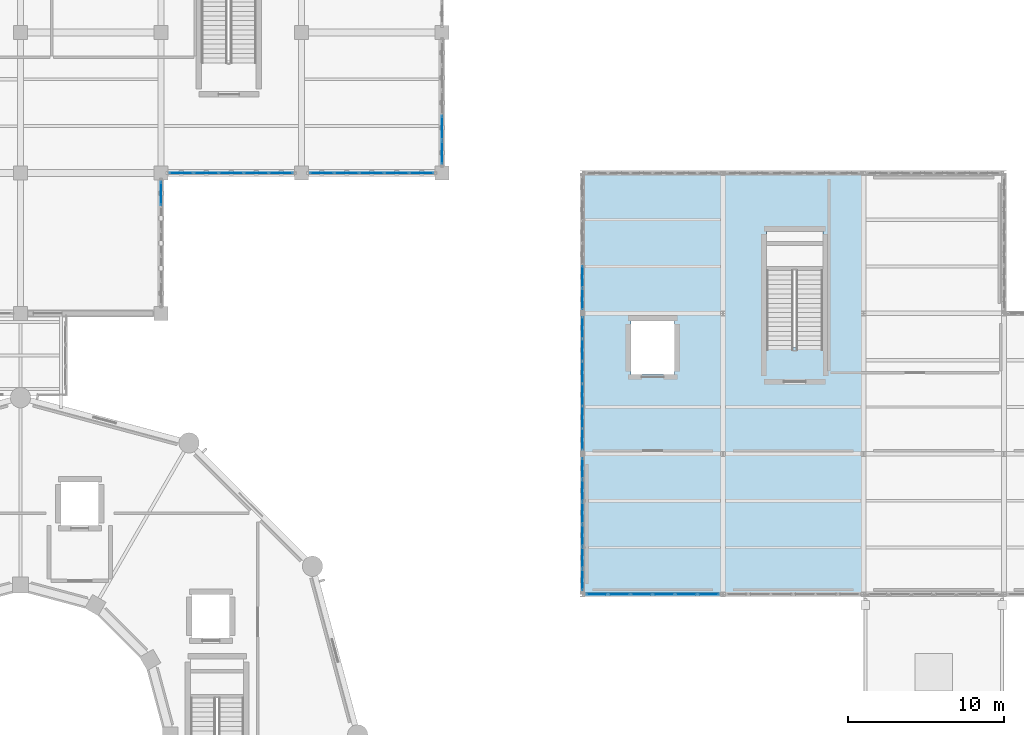
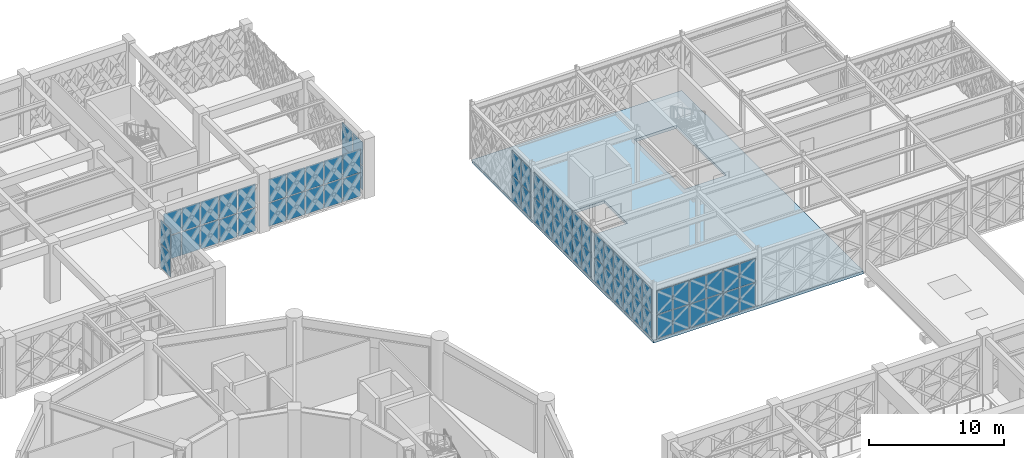
# One storey, part 125 of 155: 66 plates, 1 slab, 8 elements without a shape of their own.
"""IFC4 building model written with IfcOpenShell, lengths in metres."""

import ifcopenshell
import ifcopenshell.guid

model = None  # the IFC model being written
_history = None  # IfcOwnerHistory: only IFC2X3 demands one
_inside = {}  # id of a spatial element -> (the spatial element, [elements in it])
_under = {}  # id of a project, library or spatial element -> (it, [spatial elements below it])
_declared = {}  # id of a project -> (the project, [libraries it declares])
_typed = {}  # id of a type object -> (the type object, [elements of that type])
_made_of = {}  # id of a material, layer set ... -> (it, [elements and type objects made of it])


def new_model(schema):
    """Start an empty IFC model of exactly this schema.

    Asked for "IFC4X3", IfcOpenShell would pick the latest addendum, in which some entities
    have other attributes; the version numbers below select the first issue.
    IFC2X3 requires an IfcOwnerHistory on every rooted entity: one is made here for all.
    """
    global model, _history
    if schema == "IFC4X3":
        model = ifcopenshell.file(schema_version=(4, 3, 0, 0))
    else:
        model = ifcopenshell.file(schema=schema)
    _inside.clear()
    _under.clear()
    _declared.clear()
    _typed.clear()
    _made_of.clear()
    _history = None
    if model.schema == "IFC2X3":
        org = make("IfcOrganization", Name="unknown")
        user = make(
            "IfcPersonAndOrganization",
            ThePerson=make("IfcPerson", FamilyName="unknown"),
            TheOrganization=org,
        )
        app = make(
            "IfcApplication",
            ApplicationDeveloper=org,
            Version="unknown",
            ApplicationFullName="unknown",
            ApplicationIdentifier="unknown",
        )
        _history = make(
            "IfcOwnerHistory",
            OwningUser=user,
            OwningApplication=app,
            ChangeAction="ADDED",
            CreationDate=0,
        )
    return model


def make(cls, **values):
    """One entity of the class cls with the attributes given. An attribute that is None is left unset."""
    return model.create_entity(
        cls, **{name: value for name, value in values.items() if value is not None}
    )


def rooted(cls, **values):
    """An entity with a GlobalId (a new one), such as an element, a storey or a relation."""
    return make(cls, GlobalId=ifcopenshell.guid.new(), OwnerHistory=_history, **values)


def si_unit(unit_type, name, prefix=None):
    """IfcSIUnit, for example si_unit("LENGTHUNIT", "METRE", prefix="MILLI")."""
    return make("IfcSIUnit", UnitType=unit_type, Prefix=prefix, Name=name)


def assignment(units):
    """IfcUnitAssignment: the units of a project."""
    return None if units is None else make("IfcUnitAssignment", Units=units)


def point(xyz):
    """IfcCartesianPoint."""
    return None if xyz is None else make("IfcCartesianPoint", Coordinates=xyz)


def direction(xyz):
    """IfcDirection."""
    return None if xyz is None else make("IfcDirection", DirectionRatios=xyz)


def frame(location, z_axis=None, x_axis=None):
    """IfcAxis2Placement3D, a coordinate frame: its origin and axes. An axis left out is left unset."""
    return make(
        "IfcAxis2Placement3D",
        Location=point(location),
        Axis=direction(z_axis),
        RefDirection=direction(x_axis),
    )


def frame_2d(location, x_axis=None):
    """IfcAxis2Placement2D, a coordinate frame in the plane: its origin and x axis."""
    return make(
        "IfcAxis2Placement2D", Location=point(location), RefDirection=direction(x_axis)
    )


def origin():
    """The frame at (0, 0, 0) with its axes left unset."""
    return frame((0.0, 0.0, 0.0))


def origin_2d():
    """The frame at (0, 0) in the plane with its x axis left unset."""
    return frame_2d((0.0, 0.0))


def place(relative_to, where):
    """IfcLocalPlacement: puts the frame where relative to a parent placement (None: the world)."""
    return make(
        "IfcLocalPlacement", PlacementRelTo=relative_to, RelativePlacement=where
    )


def context(
    kind, dimensions, precision=None, world=None, true_north=None, identifier=None
):
    """IfcGeometricRepresentationContext, for example the 3D "Model" context."""
    return make(
        "IfcGeometricRepresentationContext",
        ContextIdentifier=identifier,
        ContextType=kind,
        CoordinateSpaceDimension=dimensions,
        Precision=precision,
        WorldCoordinateSystem=world,
        TrueNorth=true_north,
    )


def subcontext(parent, identifier, kind, view, scale=None):
    """IfcGeometricRepresentationSubContext, for example "Body" below "Model"."""
    return make(
        "IfcGeometricRepresentationSubContext",
        ContextIdentifier=identifier,
        ContextType=kind,
        ParentContext=parent,
        TargetScale=scale,
        TargetView=view,
    )


def project(units=None, contexts=None):
    """IfcProject with its units and contexts."""
    return rooted(
        "IfcProject",
        Name="project",
        RepresentationContexts=contexts,
        UnitsInContext=assignment(units),
    )


def spatial(cls, under=None, at=None, **own):
    """A site, building, storey or space (cls), placed at a placement, below another one or the project."""
    s = rooted(cls, ObjectPlacement=at, **own)
    if under is not None:
        _under.setdefault(under.id(), (under, []))[1].append(s)
    return s


def polyline(points):
    """IfcPolyline through the points."""
    return make("IfcPolyline", Points=[point(p) for p in points])


def profile(cls, at=None, kind="AREA", **sizes):
    """A parametric profile (cls). Its sizes go by their IFC names, for example OverallWidth=200.0."""
    return make(cls, ProfileType=kind, Position=at, **sizes)


def rectangle(**sizes):
    """IfcRectangleProfileDef."""
    return profile("IfcRectangleProfileDef", **sizes)


def outline(outer, holes=None, kind="AREA"):
    """IfcArbitraryClosedProfileDef: a profile drawn as a closed curve; with holes, ...WithVoids."""
    if holes is None:
        return make("IfcArbitraryClosedProfileDef", ProfileType=kind, OuterCurve=outer)
    return make(
        "IfcArbitraryProfileDefWithVoids",
        ProfileType=kind,
        OuterCurve=outer,
        InnerCurves=holes,
    )


def extrude(swept, where, along, depth):
    """IfcExtrudedAreaSolid: the profile swept, set in the frame where, extruded along a direction by depth."""
    return make(
        "IfcExtrudedAreaSolid",
        SweptArea=swept,
        Position=where,
        ExtrudedDirection=direction(along),
        Depth=depth,
    )


def shape(context_of_items, identifier, shape_type, items):
    """IfcShapeRepresentation: the items that make up one representation, for example the "Body"."""
    return make(
        "IfcShapeRepresentation",
        ContextOfItems=context_of_items,
        RepresentationIdentifier=identifier,
        RepresentationType=shape_type,
        Items=items,
    )


def material(Name=None, Category=None):
    """IfcMaterial."""
    return make("IfcMaterial", Name=Name, Category=Category)


def layer(
    of_material, thickness, ventilated=None, Name=None, Category=None, Priority=None
):
    """IfcMaterialLayer: one layer of a wall or slab, of a material (None: an air gap)."""
    return make(
        "IfcMaterialLayer",
        Material=of_material,
        LayerThickness=thickness,
        IsVentilated=ventilated,
        Name=Name,
        Category=Category,
        Priority=Priority,
    )


def layer_set(layers, Name=None):
    """IfcMaterialLayerSet."""
    return make("IfcMaterialLayerSet", MaterialLayers=layers, LayerSetName=Name)


def made_of(thing, what):
    """Note that an element or type object is made of a material, layer set ...; save() writes the relation."""
    if what is not None:
        _made_of.setdefault(what.id(), (what, []))[1].append(thing)
    return thing


def type_object(cls, material=None, **own):
    """A type object (cls), such as IfcWallType, which elements share."""
    return made_of(rooted(cls, **own), material)


def element(
    cls,
    number,
    at=None,
    inside=None,
    cuts=None,
    type_object=None,
    material=None,
    context=None,
    identifier="Body",
    shape_type=None,
    held_by="IfcProductDefinitionShape",
    body=None,
    shapes=None,
    **own,
):
    """One element of the class cls, such as IfcWall. Its Tag is "e" and its number.

    at: its placement. inside: the storey or other place that contains it. cuts: it is an
    opening in that element (IfcRelVoidsElement). A single representation is given by context,
    identifier, shape_type and body (its items); several are given by shapes. held_by: the class
    of the entity that holds the representations. save() writes the other relations.
    """
    e = rooted(cls, Tag="e%d" % number, ObjectPlacement=at, **own)
    if body is not None:
        shapes = [shape(context, identifier, shape_type, body)]
    if shapes is not None:
        e.Representation = make(held_by, Representations=shapes)
    if inside is not None:
        _inside.setdefault(inside.id(), (inside, []))[1].append(e)
    if cuts is not None:
        rooted(
            "IfcRelVoidsElement", RelatingBuildingElement=cuts, RelatedOpeningElement=e
        )
    if type_object is not None:
        _typed.setdefault(type_object.id(), (type_object, []))[1].append(e)
    return made_of(e, material)


def aggregate(whole, parts):
    """IfcRelAggregates: a whole, such as a stair, and the parts it consists of."""
    return rooted("IfcRelAggregates", RelatingObject=whole, RelatedObjects=parts)


def save(model, path):
    """Write the relations noted so far, then the file.

    IfcRelAggregates (storeys below a building ...), IfcRelContainedInSpatialStructure (elements
    in a storey), IfcRelDefinesByType, IfcRelAssociatesMaterial and IfcRelDeclares: one each for
    every whole, place, type object, material and project.
    """
    for whole, parts in _under.values():
        aggregate(whole, parts)
    for where, things in _inside.values():
        rooted(
            "IfcRelContainedInSpatialStructure",
            RelatedElements=things,
            RelatingStructure=where,
        )
    for kind, things in _typed.values():
        rooted("IfcRelDefinesByType", RelatedObjects=things, RelatingType=kind)
    for what, things in _made_of.values():
        rooted("IfcRelAssociatesMaterial", RelatedObjects=things, RelatingMaterial=what)
    for by, libraries in _declared.values():
        rooted("IfcRelDeclares", RelatingContext=by, RelatedDefinitions=libraries)
    model.write(path)


model = new_model("IFC4")

# Units and contexts
model_context = context("Model", 3, precision=1e-05, world=origin(), true_north=direction((0.0, 1.0)))
body_context = subcontext(model_context, "Body", "Model", "MODEL_VIEW")
ifc_project = project(units=[si_unit("LENGTHUNIT", "METRE"), si_unit("AREAUNIT", "SQUARE_METRE"), si_unit("VOLUMEUNIT", "CUBIC_METRE"), si_unit("PLANEANGLEUNIT", "RADIAN"), si_unit("MASSUNIT", "GRAM", prefix="KILO")], contexts=[model_context])

# Site, building, storey
site_placement = place(None, origin())
site = spatial("IfcSite", under=ifc_project, at=site_placement, CompositionType="ELEMENT")
building_placement = place(site_placement, origin())
building = spatial("IfcBuilding", under=site, at=building_placement, Name="Haizhuo Lancet Aquarium", CompositionType="ELEMENT")
storey_placement = place(building_placement, frame((0.0, 0.0, 10.800048828125)))
storey = spatial("IfcBuildingStorey", under=building, at=storey_placement, Name="L02", CompositionType="ELEMENT", Elevation=10.800048828125)

# Curtain wall, plates
ifc_material_1 = material(Name="Aluminium 6063-T6", Category="aluminium")
curtain_wall_type_1 = type_object("IfcCurtainWallType", Name="CWD-8010x4460", PredefinedType="NOTDEFINED", material=ifc_material_1)
curtain_wall_1_placement = place(storey_placement, origin())
curtain_wall_1 = element("IfcCurtainWall", 1, at=curtain_wall_1_placement, inside=storey, type_object=curtain_wall_type_1, Name="L02 curtain wall CW-V5-L02-153", PredefinedType="NOTDEFINED")
ifc_material_2 = material(Name="Laminated Low-E Glass", Category="glass")
ifc_layer_1 = layer(ifc_material_2, 0.028076171875)
ifc_layer_set_1 = layer_set([ifc_layer_1], Name="Laminated Low-E Glass")
plate_type_1 = type_object("IfcPlateType", Name="CW-PNL-1", PredefinedType="CURTAIN_PANEL", material=ifc_layer_set_1)
plate_1_placement = place(storey_placement, frame((27.0, 38.89794921875, 0.080078125), z_axis=(0.0, 0.0, 1.0), x_axis=(0.0, -1.0, 0.0)))
plate_1 = element("IfcPlate", 2, at=plate_1_placement, type_object=plate_type_1, Name="CWD-80x44 panel 4.1", PredefinedType="CURTAIN_PANEL", context=body_context, shape_type="SweptSolid", body=[
    extrude(rectangle(XDim=1.52197265625, YDim=0.028076171875, at=origin_2d()), origin(), (0.0, 0.0, 1.0), 2.110107421875),
])
plate_2_placement = place(storey_placement, frame((27.0, 38.89794921875, 2.27001953125), z_axis=(0.0, 0.0, 1.0), x_axis=(0.0, -1.0, 0.0)))
plate_2 = element("IfcPlate", 3, at=plate_2_placement, type_object=plate_type_1, Name="CWD-80x44 panel 4.2", PredefinedType="CURTAIN_PANEL", context=body_context, shape_type="SweptSolid", body=[
    extrude(rectangle(XDim=1.52197265625, YDim=0.028076171875, at=origin_2d()), origin(), (0.0, 0.0, 1.0), 2.110107421875),
])
plate_3_placement = place(storey_placement, frame((27.0, 37.31591796875, 0.080078125), z_axis=(0.0, 0.0, 1.0), x_axis=(0.0, -1.0, 0.0)))
plate_3 = element("IfcPlate", 4, at=plate_3_placement, type_object=plate_type_1, Name="CWD-80x44 panel 5.1", PredefinedType="CURTAIN_PANEL", context=body_context, shape_type="SweptSolid", body=[
    extrude(rectangle(XDim=1.48193359375, YDim=0.028076171875, at=origin_2d()), origin(), (0.0, 0.0, 1.0), 2.110107421875),
])
plate_4_placement = place(storey_placement, frame((27.0, 37.31591796875, 2.27001953125), z_axis=(0.0, 0.0, 1.0), x_axis=(0.0, -1.0, 0.0)))
plate_4 = element("IfcPlate", 5, at=plate_4_placement, type_object=plate_type_1, Name="CWD-80x44 panel 5.2", PredefinedType="CURTAIN_PANEL", context=body_context, shape_type="SweptSolid", body=[
    extrude(rectangle(XDim=1.48193359375, YDim=0.028076171875, at=origin_2d()), origin(), (0.0, 0.0, 1.0), 2.110107421875),
])
aggregate(curtain_wall_1, [plate_1, plate_2, plate_3, plate_4])

curtain_wall_type_2 = type_object("IfcCurtainWallType", Name="CWD-8610x4560", PredefinedType="NOTDEFINED", material=ifc_material_1)
curtain_wall_2_placement = place(storey_placement, origin())
curtain_wall_2 = element("IfcCurtainWall", 6, at=curtain_wall_2_placement, inside=storey, type_object=curtain_wall_type_2, Name="L02 curtain wall CW-V7-L02-309", PredefinedType="NOTDEFINED")
plate_5_placement = place(storey_placement, frame((36.0, 9.93310546875, 0.07958984375), z_axis=(0.0, 0.0, 1.0), x_axis=(0.0, 1.0, 0.0)))
plate_5 = element("IfcPlate", 7, at=plate_5_placement, type_object=plate_type_1, Name="CWD-86x45 panel 1.1", PredefinedType="CURTAIN_PANEL", context=body_context, shape_type="SweptSolid", body=[
    extrude(rectangle(XDim=1.31494140625, YDim=0.028076171875, at=origin_2d()), origin(), (0.0, 0.0, 1.0), 2.160888671875),
])
plate_6_placement = place(storey_placement, frame((36.0, 9.93310546875, 2.3203125), z_axis=(0.0, 0.0, 1.0), x_axis=(0.0, 1.0, 0.0)))
plate_6 = element("IfcPlate", 8, at=plate_6_placement, type_object=plate_type_1, Name="CWD-86x45 panel 1.2", PredefinedType="CURTAIN_PANEL", context=body_context, shape_type="SweptSolid", body=[
    extrude(rectangle(XDim=1.31494140625, YDim=0.028076171875, at=origin_2d()), origin(), (0.0, 0.0, 1.0), 2.160888671875),
])
plate_7_placement = place(storey_placement, frame((36.0, 11.347900390625, 0.07958984375), z_axis=(0.0, 0.0, 1.0), x_axis=(0.0, 1.0, 0.0)))
plate_7 = element("IfcPlate", 9, at=plate_7_placement, type_object=plate_type_1, Name="CWD-86x45 panel 2.1", PredefinedType="CURTAIN_PANEL", context=body_context, shape_type="SweptSolid", body=[
    extrude(rectangle(XDim=1.35498046875, YDim=0.028076171875, at=origin_2d()), origin(), (0.0, 0.0, 1.0), 2.160888671875),
])
plate_8_placement = place(storey_placement, frame((36.0, 11.347900390625, 2.3203125), z_axis=(0.0, 0.0, 1.0), x_axis=(0.0, 1.0, 0.0)))
plate_8 = element("IfcPlate", 10, at=plate_8_placement, type_object=plate_type_1, Name="CWD-86x45 panel 2.2", PredefinedType="CURTAIN_PANEL", context=body_context, shape_type="SweptSolid", body=[
    extrude(rectangle(XDim=1.35498046875, YDim=0.028076171875, at=origin_2d()), origin(), (0.0, 0.0, 1.0), 2.160888671875),
])
plate_9_placement = place(storey_placement, frame((36.0, 12.781982421875, 0.07958984375), z_axis=(0.0, 0.0, 1.0), x_axis=(0.0, 1.0, 0.0)))
plate_9 = element("IfcPlate", 11, at=plate_9_placement, type_object=plate_type_1, Name="CWD-86x45 panel 3.1", PredefinedType="CURTAIN_PANEL", context=body_context, shape_type="SweptSolid", body=[
    extrude(rectangle(XDim=1.35498046875, YDim=0.028076171875, at=origin_2d()), origin(), (0.0, 0.0, 1.0), 2.160888671875),
])
plate_10_placement = place(storey_placement, frame((36.0, 12.781982421875, 2.3203125), z_axis=(0.0, 0.0, 1.0), x_axis=(0.0, 1.0, 0.0)))
plate_10 = element("IfcPlate", 12, at=plate_10_placement, type_object=plate_type_1, Name="CWD-86x45 panel 3.2", PredefinedType="CURTAIN_PANEL", context=body_context, shape_type="SweptSolid", body=[
    extrude(rectangle(XDim=1.35498046875, YDim=0.028076171875, at=origin_2d()), origin(), (0.0, 0.0, 1.0), 2.160888671875),
])
plate_11_placement = place(storey_placement, frame((36.0, 14.217041015625, 0.07958984375), z_axis=(0.0, 0.0, 1.0), x_axis=(0.0, 1.0, 0.0)))
plate_11 = element("IfcPlate", 13, at=plate_11_placement, type_object=plate_type_1, Name="CWD-86x45 panel 4.1", PredefinedType="CURTAIN_PANEL", context=body_context, shape_type="SweptSolid", body=[
    extrude(rectangle(XDim=1.35498046875, YDim=0.028076171875, at=origin_2d()), origin(), (0.0, 0.0, 1.0), 2.160888671875),
])
plate_12_placement = place(storey_placement, frame((36.0, 14.217041015625, 2.3203125), z_axis=(0.0, 0.0, 1.0), x_axis=(0.0, 1.0, 0.0)))
plate_12 = element("IfcPlate", 14, at=plate_12_placement, type_object=plate_type_1, Name="CWD-86x45 panel 4.2", PredefinedType="CURTAIN_PANEL", context=body_context, shape_type="SweptSolid", body=[
    extrude(rectangle(XDim=1.35498046875, YDim=0.028076171875, at=origin_2d()), origin(), (0.0, 0.0, 1.0), 2.160888671875),
])
plate_13_placement = place(storey_placement, frame((36.0, 15.652099609375, 0.07958984375), z_axis=(0.0, 0.0, 1.0), x_axis=(0.0, 1.0, 0.0)))
plate_13 = element("IfcPlate", 15, at=plate_13_placement, type_object=plate_type_1, Name="CWD-86x45 panel 5.1", PredefinedType="CURTAIN_PANEL", context=body_context, shape_type="SweptSolid", body=[
    extrude(rectangle(XDim=1.35498046875, YDim=0.028076171875, at=origin_2d()), origin(), (0.0, 0.0, 1.0), 2.160888671875),
])
plate_14_placement = place(storey_placement, frame((36.0, 15.652099609375, 2.3203125), z_axis=(0.0, 0.0, 1.0), x_axis=(0.0, 1.0, 0.0)))
plate_14 = element("IfcPlate", 16, at=plate_14_placement, type_object=plate_type_1, Name="CWD-86x45 panel 5.2", PredefinedType="CURTAIN_PANEL", context=body_context, shape_type="SweptSolid", body=[
    extrude(rectangle(XDim=1.35498046875, YDim=0.028076171875, at=origin_2d()), origin(), (0.0, 0.0, 1.0), 2.160888671875),
])
plate_15_placement = place(storey_placement, frame((36.0, 17.068115234375, 0.07958984375), z_axis=(0.0, 0.0, 1.0), x_axis=(0.0, 1.0, 0.0)))
plate_15 = element("IfcPlate", 17, at=plate_15_placement, type_object=plate_type_1, Name="CWD-86x45 panel 6.1", PredefinedType="CURTAIN_PANEL", context=body_context, shape_type="SweptSolid", body=[
    extrude(rectangle(XDim=1.31494140625, YDim=0.028076171875, at=origin_2d()), origin(), (0.0, 0.0, 1.0), 2.160888671875),
])
plate_16_placement = place(storey_placement, frame((36.0, 17.068115234375, 2.3203125), z_axis=(0.0, 0.0, 1.0), x_axis=(0.0, 1.0, 0.0)))
plate_16 = element("IfcPlate", 18, at=plate_16_placement, type_object=plate_type_1, Name="CWD-86x45 panel 6.2", PredefinedType="CURTAIN_PANEL", context=body_context, shape_type="SweptSolid", body=[
    extrude(rectangle(XDim=1.31494140625, YDim=0.028076171875, at=origin_2d()), origin(), (0.0, 0.0, 1.0), 2.160888671875),
])
aggregate(curtain_wall_2, [plate_5, plate_6, plate_7, plate_8, plate_9, plate_10, plate_11, plate_12, plate_13, plate_14, plate_15, plate_16])

curtain_wall_type_3 = type_object("IfcCurtainWallType", Name="CWD-8010x4410", PredefinedType="NOTDEFINED", material=ifc_material_1)
curtain_wall_3_placement = place(storey_placement, origin())
curtain_wall_3 = element("IfcCurtainWall", 19, at=curtain_wall_3_placement, inside=storey, type_object=curtain_wall_type_3, Name="L02 curtain wall CW-V5-L02-154", PredefinedType="NOTDEFINED")
ifc_layer_2 = layer(ifc_material_2, 0.033935546875)
ifc_layer_set_2 = layer_set([ifc_layer_2], Name="Laminated Low-E Glass")
plate_type_2 = type_object("IfcPlateType", Name="CW-PNL-2", PredefinedType="CURTAIN_PANEL", material=ifc_layer_set_2)
plate_17_placement = place(storey_placement, frame((25.68798828125, 36.0, 0.0654296875), z_axis=(0.0, 0.0, 1.0), x_axis=(-1.0, 0.0, 0.0)))
plate_17 = element("IfcPlate", 20, at=plate_17_placement, type_object=plate_type_2, Name="CWD-80x44 panel 1.1", PredefinedType="CURTAIN_PANEL", context=body_context, shape_type="SweptSolid", body=[
    extrude(rectangle(XDim=1.50390625, YDim=0.033935546875, at=origin_2d()), origin(), (0.0, 0.0, 1.0), 2.10693359375),
])
plate_18_placement = place(storey_placement, frame((25.68798828125, 36.0, 2.237548828125), z_axis=(0.0, 0.0, 1.0), x_axis=(-1.0, 0.0, 0.0)))
plate_18 = element("IfcPlate", 21, at=plate_18_placement, type_object=plate_type_2, Name="CWD-80x44 panel 1.2", PredefinedType="CURTAIN_PANEL", context=body_context, shape_type="SweptSolid", body=[
    extrude(rectangle(XDim=1.50390625, YDim=0.033935546875, at=origin_2d()), origin(), (0.0, 0.0, 1.0), 2.10693359375),
])
plate_19_placement = place(storey_placement, frame((24.10205078125, 36.0, 0.0654296875), z_axis=(0.0, 0.0, 1.0), x_axis=(-1.0, 0.0, 0.0)))
plate_19 = element("IfcPlate", 22, at=plate_19_placement, type_object=plate_type_2, Name="CWD-80x44 panel 2.1", PredefinedType="CURTAIN_PANEL", context=body_context, shape_type="SweptSolid", body=[
    extrude(rectangle(XDim=1.537109375, YDim=0.033935546875, at=origin_2d()), origin(), (0.0, 0.0, 1.0), 2.10693359375),
])
plate_20_placement = place(storey_placement, frame((24.10205078125, 36.0, 2.237548828125), z_axis=(0.0, 0.0, 1.0), x_axis=(-1.0, 0.0, 0.0)))
plate_20 = element("IfcPlate", 23, at=plate_20_placement, type_object=plate_type_2, Name="CWD-80x44 panel 2.2", PredefinedType="CURTAIN_PANEL", context=body_context, shape_type="SweptSolid", body=[
    extrude(rectangle(XDim=1.537109375, YDim=0.033935546875, at=origin_2d()), origin(), (0.0, 0.0, 1.0), 2.10693359375),
])
plate_21_placement = place(storey_placement, frame((22.5, 36.0, 0.0654296875), z_axis=(0.0, 0.0, 1.0), x_axis=(-1.0, 0.0, 0.0)))
plate_21 = element("IfcPlate", 24, at=plate_21_placement, type_object=plate_type_2, Name="CWD-80x44 panel 3.1", PredefinedType="CURTAIN_PANEL", context=body_context, shape_type="SweptSolid", body=[
    extrude(rectangle(XDim=1.537109375, YDim=0.033935546875, at=origin_2d()), origin(), (0.0, 0.0, 1.0), 2.10693359375),
])
plate_22_placement = place(storey_placement, frame((22.5, 36.0, 2.237548828125), z_axis=(0.0, 0.0, 1.0), x_axis=(-1.0, 0.0, 0.0)))
plate_22 = element("IfcPlate", 25, at=plate_22_placement, type_object=plate_type_2, Name="CWD-80x44 panel 3.2", PredefinedType="CURTAIN_PANEL", context=body_context, shape_type="SweptSolid", body=[
    extrude(rectangle(XDim=1.537109375, YDim=0.033935546875, at=origin_2d()), origin(), (0.0, 0.0, 1.0), 2.10693359375),
])
plate_23_placement = place(storey_placement, frame((20.89794921875, 36.0, 0.0654296875), z_axis=(0.0, 0.0, 1.0), x_axis=(-1.0, 0.0, 0.0)))
plate_23 = element("IfcPlate", 26, at=plate_23_placement, type_object=plate_type_2, Name="CWD-80x44 panel 4.1", PredefinedType="CURTAIN_PANEL", context=body_context, shape_type="SweptSolid", body=[
    extrude(rectangle(XDim=1.537109375, YDim=0.033935546875, at=origin_2d()), origin(), (0.0, 0.0, 1.0), 2.10693359375),
])
plate_24_placement = place(storey_placement, frame((20.89794921875, 36.0, 2.237548828125), z_axis=(0.0, 0.0, 1.0), x_axis=(-1.0, 0.0, 0.0)))
plate_24 = element("IfcPlate", 27, at=plate_24_placement, type_object=plate_type_2, Name="CWD-80x44 panel 4.2", PredefinedType="CURTAIN_PANEL", context=body_context, shape_type="SweptSolid", body=[
    extrude(rectangle(XDim=1.537109375, YDim=0.033935546875, at=origin_2d()), origin(), (0.0, 0.0, 1.0), 2.10693359375),
])
plate_25_placement = place(storey_placement, frame((19.31201171875, 36.0, 0.0654296875), z_axis=(0.0, 0.0, 1.0), x_axis=(-1.0, 0.0, 0.0)))
plate_25 = element("IfcPlate", 28, at=plate_25_placement, type_object=plate_type_2, Name="CWD-80x44 panel 5.1", PredefinedType="CURTAIN_PANEL", context=body_context, shape_type="SweptSolid", body=[
    extrude(rectangle(XDim=1.5048828125, YDim=0.033935546875, at=origin_2d()), origin(), (0.0, 0.0, 1.0), 2.10693359375),
])
plate_26_placement = place(storey_placement, frame((19.31201171875, 36.0, 2.237548828125), z_axis=(0.0, 0.0, 1.0), x_axis=(-1.0, 0.0, 0.0)))
plate_26 = element("IfcPlate", 29, at=plate_26_placement, type_object=plate_type_2, Name="CWD-80x44 panel 5.2", PredefinedType="CURTAIN_PANEL", context=body_context, shape_type="SweptSolid", body=[
    extrude(rectangle(XDim=1.5048828125, YDim=0.033935546875, at=origin_2d()), origin(), (0.0, 0.0, 1.0), 2.10693359375),
])
aggregate(curtain_wall_3, [plate_17, plate_18, plate_19, plate_20, plate_21, plate_22, plate_23, plate_24, plate_25, plate_26])

curtain_wall_4_placement = place(storey_placement, origin())
curtain_wall_4 = element("IfcCurtainWall", 30, at=curtain_wall_4_placement, inside=storey, type_object=curtain_wall_type_2, Name="L02 curtain wall CW-V7-L02-310", PredefinedType="NOTDEFINED")
plate_27_placement = place(storey_placement, frame((36.0, 18.928955078125, 0.0654296875), z_axis=(0.0, 0.0, 1.0), x_axis=(0.0, 1.0, 0.0)))
plate_27 = element("IfcPlate", 31, at=plate_27_placement, type_object=plate_type_2, Name="CWD-86x45 panel 1.1", PredefinedType="CURTAIN_PANEL", context=body_context, shape_type="SweptSolid", body=[
    extrude(rectangle(XDim=1.3369140625, YDim=0.033935546875, at=origin_2d()), origin(), (0.0, 0.0, 1.0), 2.18310546875),
])
plate_28_placement = place(storey_placement, frame((36.0, 18.928955078125, 2.3134765625), z_axis=(0.0, 0.0, 1.0), x_axis=(0.0, 1.0, 0.0)))
plate_28 = element("IfcPlate", 32, at=plate_28_placement, type_object=plate_type_2, Name="CWD-86x45 panel 1.2", PredefinedType="CURTAIN_PANEL", context=body_context, shape_type="SweptSolid", body=[
    extrude(rectangle(XDim=1.3369140625, YDim=0.033935546875, at=origin_2d()), origin(), (0.0, 0.0, 1.0), 2.18310546875),
])
plate_29_placement = place(storey_placement, frame((36.0, 20.347900390625, 0.0654296875), z_axis=(0.0, 0.0, 1.0), x_axis=(0.0, 1.0, 0.0)))
plate_29 = element("IfcPlate", 33, at=plate_29_placement, type_object=plate_type_2, Name="CWD-86x45 panel 2.1", PredefinedType="CURTAIN_PANEL", context=body_context, shape_type="SweptSolid", body=[
    extrude(rectangle(XDim=1.3701171875, YDim=0.033935546875, at=origin_2d()), origin(), (0.0, 0.0, 1.0), 2.18310546875),
])
plate_30_placement = place(storey_placement, frame((36.0, 20.347900390625, 2.3134765625), z_axis=(0.0, 0.0, 1.0), x_axis=(0.0, 1.0, 0.0)))
plate_30 = element("IfcPlate", 34, at=plate_30_placement, type_object=plate_type_2, Name="CWD-86x45 panel 2.2", PredefinedType="CURTAIN_PANEL", context=body_context, shape_type="SweptSolid", body=[
    extrude(rectangle(XDim=1.3701171875, YDim=0.033935546875, at=origin_2d()), origin(), (0.0, 0.0, 1.0), 2.18310546875),
])
plate_31_placement = place(storey_placement, frame((36.0, 21.781982421875, 0.0654296875), z_axis=(0.0, 0.0, 1.0), x_axis=(0.0, 1.0, 0.0)))
plate_31 = element("IfcPlate", 35, at=plate_31_placement, type_object=plate_type_2, Name="CWD-86x45 panel 3.1", PredefinedType="CURTAIN_PANEL", context=body_context, shape_type="SweptSolid", body=[
    extrude(rectangle(XDim=1.3701171875, YDim=0.033935546875, at=origin_2d()), origin(), (0.0, 0.0, 1.0), 2.18310546875),
])
plate_32_placement = place(storey_placement, frame((36.0, 21.781982421875, 2.3134765625), z_axis=(0.0, 0.0, 1.0), x_axis=(0.0, 1.0, 0.0)))
plate_32 = element("IfcPlate", 36, at=plate_32_placement, type_object=plate_type_2, Name="CWD-86x45 panel 3.2", PredefinedType="CURTAIN_PANEL", context=body_context, shape_type="SweptSolid", body=[
    extrude(rectangle(XDim=1.3701171875, YDim=0.033935546875, at=origin_2d()), origin(), (0.0, 0.0, 1.0), 2.18310546875),
])
plate_33_placement = place(storey_placement, frame((36.0, 23.218017578125, 0.0654296875), z_axis=(0.0, 0.0, 1.0), x_axis=(0.0, 1.0, 0.0)))
plate_33 = element("IfcPlate", 37, at=plate_33_placement, type_object=plate_type_2, Name="CWD-86x45 panel 4.1", PredefinedType="CURTAIN_PANEL", context=body_context, shape_type="SweptSolid", body=[
    extrude(rectangle(XDim=1.3701171875, YDim=0.033935546875, at=origin_2d()), origin(), (0.0, 0.0, 1.0), 2.18310546875),
])
plate_34_placement = place(storey_placement, frame((36.0, 23.218017578125, 2.3134765625), z_axis=(0.0, 0.0, 1.0), x_axis=(0.0, 1.0, 0.0)))
plate_34 = element("IfcPlate", 38, at=plate_34_placement, type_object=plate_type_2, Name="CWD-86x45 panel 4.2", PredefinedType="CURTAIN_PANEL", context=body_context, shape_type="SweptSolid", body=[
    extrude(rectangle(XDim=1.3701171875, YDim=0.033935546875, at=origin_2d()), origin(), (0.0, 0.0, 1.0), 2.18310546875),
])
plate_35_placement = place(storey_placement, frame((36.0, 24.652099609375, 0.0654296875), z_axis=(0.0, 0.0, 1.0), x_axis=(0.0, 1.0, 0.0)))
plate_35 = element("IfcPlate", 39, at=plate_35_placement, type_object=plate_type_2, Name="CWD-86x45 panel 5.1", PredefinedType="CURTAIN_PANEL", context=body_context, shape_type="SweptSolid", body=[
    extrude(rectangle(XDim=1.3701171875, YDim=0.033935546875, at=origin_2d()), origin(), (0.0, 0.0, 1.0), 2.18310546875),
])
plate_36_placement = place(storey_placement, frame((36.0, 24.652099609375, 2.3134765625), z_axis=(0.0, 0.0, 1.0), x_axis=(0.0, 1.0, 0.0)))
plate_36 = element("IfcPlate", 40, at=plate_36_placement, type_object=plate_type_2, Name="CWD-86x45 panel 5.2", PredefinedType="CURTAIN_PANEL", context=body_context, shape_type="SweptSolid", body=[
    extrude(rectangle(XDim=1.3701171875, YDim=0.033935546875, at=origin_2d()), origin(), (0.0, 0.0, 1.0), 2.18310546875),
])
plate_37_placement = place(storey_placement, frame((36.0, 26.071044921875, 0.0654296875), z_axis=(0.0, 0.0, 1.0), x_axis=(0.0, 1.0, 0.0)))
plate_37 = element("IfcPlate", 41, at=plate_37_placement, type_object=plate_type_2, Name="CWD-86x45 panel 6.1", PredefinedType="CURTAIN_PANEL", context=body_context, shape_type="SweptSolid", body=[
    extrude(rectangle(XDim=1.3369140625, YDim=0.033935546875, at=origin_2d()), origin(), (0.0, 0.0, 1.0), 2.18310546875),
])
plate_38_placement = place(storey_placement, frame((36.0, 26.071044921875, 2.3134765625), z_axis=(0.0, 0.0, 1.0), x_axis=(0.0, 1.0, 0.0)))
plate_38 = element("IfcPlate", 42, at=plate_38_placement, type_object=plate_type_2, Name="CWD-86x45 panel 6.2", PredefinedType="CURTAIN_PANEL", context=body_context, shape_type="SweptSolid", body=[
    extrude(rectangle(XDim=1.3369140625, YDim=0.033935546875, at=origin_2d()), origin(), (0.0, 0.0, 1.0), 2.18310546875),
])
aggregate(curtain_wall_4, [plate_27, plate_28, plate_29, plate_30, plate_31, plate_32, plate_33, plate_34, plate_35, plate_36, plate_37, plate_38])

curtain_wall_5_placement = place(storey_placement, origin())
curtain_wall_5 = element("IfcCurtainWall", 43, at=curtain_wall_5_placement, inside=storey, type_object=curtain_wall_type_3, Name="L02 curtain wall CW-V5-L02-155", PredefinedType="NOTDEFINED")
ifc_layer_3 = layer(ifc_material_2, 0.0419921875)
ifc_layer_set_3 = layer_set([ifc_layer_3], Name="Laminated Low-E Glass")
plate_type_3 = type_object("IfcPlateType", Name="CW-PNL-3", PredefinedType="CURTAIN_PANEL", material=ifc_layer_set_3)
plate_39_placement = place(storey_placement, frame((16.68505859375, 36.0, 0.07421875), z_axis=(0.0, 0.0, 1.0), x_axis=(-1.0, 0.0, 0.0)))
plate_39 = element("IfcPlate", 44, at=plate_39_placement, type_object=plate_type_3, Name="CWD-80x44 panel 1.1", PredefinedType="CURTAIN_PANEL", context=body_context, shape_type="SweptSolid", body=[
    extrude(rectangle(XDim=1.489013671875, YDim=0.0419921875, at=origin_2d()), origin(), (0.0, 0.0, 1.0), 2.093017578125),
])
plate_40_placement = place(storey_placement, frame((16.68505859375, 36.0, 2.24267578125), z_axis=(0.0, 0.0, 1.0), x_axis=(-1.0, 0.0, 0.0)))
plate_40 = element("IfcPlate", 45, at=plate_40_placement, type_object=plate_type_3, Name="CWD-80x44 panel 1.2", PredefinedType="CURTAIN_PANEL", context=body_context, shape_type="SweptSolid", body=[
    extrude(rectangle(XDim=1.489013671875, YDim=0.0419921875, at=origin_2d()), origin(), (0.0, 0.0, 1.0), 2.093017578125),
])
plate_41_placement = place(storey_placement, frame((15.10205078125, 36.0, 0.07421875), z_axis=(0.0, 0.0, 1.0), x_axis=(-1.0, 0.0, 0.0)))
plate_41 = element("IfcPlate", 46, at=plate_41_placement, type_object=plate_type_3, Name="CWD-80x44 panel 2.1", PredefinedType="CURTAIN_PANEL", context=body_context, shape_type="SweptSolid", body=[
    extrude(rectangle(XDim=1.527099609375, YDim=0.0419921875, at=origin_2d()), origin(), (0.0, 0.0, 1.0), 2.093017578125),
])
plate_42_placement = place(storey_placement, frame((15.10205078125, 36.0, 2.24267578125), z_axis=(0.0, 0.0, 1.0), x_axis=(-1.0, 0.0, 0.0)))
plate_42 = element("IfcPlate", 47, at=plate_42_placement, type_object=plate_type_3, Name="CWD-80x44 panel 2.2", PredefinedType="CURTAIN_PANEL", context=body_context, shape_type="SweptSolid", body=[
    extrude(rectangle(XDim=1.527099609375, YDim=0.0419921875, at=origin_2d()), origin(), (0.0, 0.0, 1.0), 2.093017578125),
])
plate_43_placement = place(storey_placement, frame((13.5, 36.0, 0.07421875), z_axis=(0.0, 0.0, 1.0), x_axis=(-1.0, 0.0, 0.0)))
plate_43 = element("IfcPlate", 48, at=plate_43_placement, type_object=plate_type_3, Name="CWD-80x44 panel 3.1", PredefinedType="CURTAIN_PANEL", context=body_context, shape_type="SweptSolid", body=[
    extrude(rectangle(XDim=1.527099609375, YDim=0.0419921875, at=origin_2d()), origin(), (0.0, 0.0, 1.0), 2.093017578125),
])
plate_44_placement = place(storey_placement, frame((13.5, 36.0, 2.24267578125), z_axis=(0.0, 0.0, 1.0), x_axis=(-1.0, 0.0, 0.0)))
plate_44 = element("IfcPlate", 49, at=plate_44_placement, type_object=plate_type_3, Name="CWD-80x44 panel 3.2", PredefinedType="CURTAIN_PANEL", context=body_context, shape_type="SweptSolid", body=[
    extrude(rectangle(XDim=1.527099609375, YDim=0.0419921875, at=origin_2d()), origin(), (0.0, 0.0, 1.0), 2.093017578125),
])
plate_45_placement = place(storey_placement, frame((11.89794921875, 36.0, 0.07421875), z_axis=(0.0, 0.0, 1.0), x_axis=(-1.0, 0.0, 0.0)))
plate_45 = element("IfcPlate", 50, at=plate_45_placement, type_object=plate_type_3, Name="CWD-80x44 panel 4.1", PredefinedType="CURTAIN_PANEL", context=body_context, shape_type="SweptSolid", body=[
    extrude(rectangle(XDim=1.527099609375, YDim=0.0419921875, at=origin_2d()), origin(), (0.0, 0.0, 1.0), 2.093017578125),
])
plate_46_placement = place(storey_placement, frame((11.89794921875, 36.0, 2.24267578125), z_axis=(0.0, 0.0, 1.0), x_axis=(-1.0, 0.0, 0.0)))
plate_46 = element("IfcPlate", 51, at=plate_46_placement, type_object=plate_type_3, Name="CWD-80x44 panel 4.2", PredefinedType="CURTAIN_PANEL", context=body_context, shape_type="SweptSolid", body=[
    extrude(rectangle(XDim=1.527099609375, YDim=0.0419921875, at=origin_2d()), origin(), (0.0, 0.0, 1.0), 2.093017578125),
])
plate_47_placement = place(storey_placement, frame((10.31494140625, 36.0, 0.07421875), z_axis=(0.0, 0.0, 1.0), x_axis=(-1.0, 0.0, 0.0)))
plate_47 = element("IfcPlate", 52, at=plate_47_placement, type_object=plate_type_3, Name="CWD-80x44 panel 5.1", PredefinedType="CURTAIN_PANEL", context=body_context, shape_type="SweptSolid", body=[
    extrude(rectangle(XDim=1.489990234375, YDim=0.0419921875, at=origin_2d()), origin(), (0.0, 0.0, 1.0), 2.093017578125),
])
plate_48_placement = place(storey_placement, frame((10.31494140625, 36.0, 2.24267578125), z_axis=(0.0, 0.0, 1.0), x_axis=(-1.0, 0.0, 0.0)))
plate_48 = element("IfcPlate", 53, at=plate_48_placement, type_object=plate_type_3, Name="CWD-80x44 panel 5.2", PredefinedType="CURTAIN_PANEL", context=body_context, shape_type="SweptSolid", body=[
    extrude(rectangle(XDim=1.489990234375, YDim=0.0419921875, at=origin_2d()), origin(), (0.0, 0.0, 1.0), 2.093017578125),
])
aggregate(curtain_wall_5, [plate_39, plate_40, plate_41, plate_42, plate_43, plate_44, plate_45, plate_46, plate_47, plate_48])

curtain_wall_6_placement = place(storey_placement, origin())
curtain_wall_6 = element("IfcCurtainWall", 54, at=curtain_wall_6_placement, inside=storey, type_object=curtain_wall_type_2, Name="L02 curtain wall CW-V7-L02-311", PredefinedType="NOTDEFINED")
plate_49_placement = place(storey_placement, frame((36.0, 27.930908203125, 0.074951171875), z_axis=(0.0, 0.0, 1.0), x_axis=(0.0, 1.0, 0.0)))
plate_49 = element("IfcPlate", 55, at=plate_49_placement, type_object=plate_type_3, Name="CWD-86x45 panel 1.1", PredefinedType="CURTAIN_PANEL", context=body_context, shape_type="SweptSolid", body=[
    extrude(rectangle(XDim=1.322021484375, YDim=0.0419921875, at=origin_2d()), origin(), (0.0, 0.0, 1.0), 2.16796875),
])
plate_50_placement = place(storey_placement, frame((36.0, 27.930908203125, 2.318359375), z_axis=(0.0, 0.0, 1.0), x_axis=(0.0, 1.0, 0.0)))
plate_50 = element("IfcPlate", 56, at=plate_50_placement, type_object=plate_type_3, Name="CWD-86x45 panel 1.2", PredefinedType="CURTAIN_PANEL", context=body_context, shape_type="SweptSolid", body=[
    extrude(rectangle(XDim=1.322021484375, YDim=0.0419921875, at=origin_2d()), origin(), (0.0, 0.0, 1.0), 2.1689453125),
])
plate_51_placement = place(storey_placement, frame((36.0, 29.347900390625, 0.074951171875), z_axis=(0.0, 0.0, 1.0), x_axis=(0.0, 1.0, 0.0)))
plate_51 = element("IfcPlate", 57, at=plate_51_placement, type_object=plate_type_3, Name="CWD-86x45 panel 2.1", PredefinedType="CURTAIN_PANEL", context=body_context, shape_type="SweptSolid", body=[
    extrude(rectangle(XDim=1.360107421875, YDim=0.0419921875, at=origin_2d()), origin(), (0.0, 0.0, 1.0), 2.16796875),
])
plate_52_placement = place(storey_placement, frame((36.0, 29.347900390625, 2.318359375), z_axis=(0.0, 0.0, 1.0), x_axis=(0.0, 1.0, 0.0)))
plate_52 = element("IfcPlate", 58, at=plate_52_placement, type_object=plate_type_3, Name="CWD-86x45 panel 2.2", PredefinedType="CURTAIN_PANEL", context=body_context, shape_type="SweptSolid", body=[
    extrude(rectangle(XDim=1.360107421875, YDim=0.0419921875, at=origin_2d()), origin(), (0.0, 0.0, 1.0), 2.1689453125),
])
aggregate(curtain_wall_6, [plate_49, plate_50, plate_51, plate_52])

curtain_wall_7_placement = place(storey_placement, origin())
curtain_wall_7 = element("IfcCurtainWall", 59, at=curtain_wall_7_placement, inside=storey, type_object=curtain_wall_type_1, Name="L02 curtain wall CW-V5-L02-156", PredefinedType="NOTDEFINED")
ifc_layer_4 = layer(ifc_material_2, 0.052001953125)
ifc_layer_set_4 = layer_set([ifc_layer_4], Name="Laminated Low-E Glass")
plate_type_4 = type_object("IfcPlateType", Name="CW-PNL-4", PredefinedType="CURTAIN_PANEL", material=ifc_layer_set_4)
plate_53_placement = place(storey_placement, frame((9.0, 34.68408203125, 0.080078125), z_axis=(0.0, 0.0, 1.0), x_axis=(0.0, -1.0, 0.0)))
plate_53 = element("IfcPlate", 60, at=plate_53_placement, type_object=plate_type_4, Name="CWD-80x44 panel 1.1", PredefinedType="CURTAIN_PANEL", context=body_context, shape_type="SweptSolid", body=[
    extrude(rectangle(XDim=1.48193359375, YDim=0.052001953125, at=origin_2d()), origin(), (0.0, 0.0, 1.0), 2.110107421875),
])
plate_54_placement = place(storey_placement, frame((9.0, 34.68408203125, 2.27001953125), z_axis=(0.0, 0.0, 1.0), x_axis=(0.0, -1.0, 0.0)))
plate_54 = element("IfcPlate", 61, at=plate_54_placement, type_object=plate_type_4, Name="CWD-80x44 panel 1.2", PredefinedType="CURTAIN_PANEL", context=body_context, shape_type="SweptSolid", body=[
    extrude(rectangle(XDim=1.48193359375, YDim=0.052001953125, at=origin_2d()), origin(), (0.0, 0.0, 1.0), 2.110107421875),
])
aggregate(curtain_wall_7, [plate_53, plate_54])

curtain_wall_type_4 = type_object("IfcCurtainWallType", Name="CWO-8610x4460", PredefinedType="NOTDEFINED", material=ifc_material_1)
curtain_wall_8_placement = place(storey_placement, origin())
curtain_wall_8 = element("IfcCurtainWall", 62, at=curtain_wall_8_placement, inside=storey, type_object=curtain_wall_type_4, Name="L02 curtain wall CW-V7-L02-308", PredefinedType="NOTDEFINED")
plate_55_placement = place(storey_placement, frame((44.069091796875, 9.0, 0.07470703125), z_axis=(0.0, 0.0, 1.0), x_axis=(-1.0, 0.0, 0.0)))
plate_55 = element("IfcPlate", 63, at=plate_55_placement, type_object=plate_type_4, Name="CWO-86x44 panel 1.1", PredefinedType="CURTAIN_PANEL", context=body_context, shape_type="SweptSolid", body=[
    extrude(rectangle(XDim=1.322021484375, YDim=0.052001953125, at=origin_2d()), origin(), (0.0, 0.0, 1.0), 2.118896484375),
])
plate_56_placement = place(storey_placement, frame((44.069091796875, 9.0, 2.2685546875), z_axis=(0.0, 0.0, 1.0), x_axis=(-1.0, 0.0, 0.0)))
plate_56 = element("IfcPlate", 64, at=plate_56_placement, type_object=plate_type_4, Name="CWO-86x44 panel 1.2", PredefinedType="CURTAIN_PANEL", context=body_context, shape_type="SweptSolid", body=[
    extrude(rectangle(XDim=1.322021484375, YDim=0.052001953125, at=origin_2d()), origin(), (0.0, 0.0, 1.0), 2.118896484375),
])
plate_57_placement = place(storey_placement, frame((42.653076171875, 9.0, 0.07470703125), z_axis=(0.0, 0.0, 1.0), x_axis=(-1.0, 0.0, 0.0)))
plate_57 = element("IfcPlate", 65, at=plate_57_placement, type_object=plate_type_4, Name="CWO-86x44 panel 2.1", PredefinedType="CURTAIN_PANEL", context=body_context, shape_type="SweptSolid", body=[
    extrude(rectangle(XDim=1.360107421875, YDim=0.052001953125, at=origin_2d()), origin(), (0.0, 0.0, 1.0), 2.118896484375),
])
plate_58_placement = place(storey_placement, frame((42.653076171875, 9.0, 2.2685546875), z_axis=(0.0, 0.0, 1.0), x_axis=(-1.0, 0.0, 0.0)))
plate_58 = element("IfcPlate", 66, at=plate_58_placement, type_object=plate_type_4, Name="CWO-86x44 panel 2.2", PredefinedType="CURTAIN_PANEL", context=body_context, shape_type="SweptSolid", body=[
    extrude(rectangle(XDim=1.360107421875, YDim=0.052001953125, at=origin_2d()), origin(), (0.0, 0.0, 1.0), 2.118896484375),
])
plate_59_placement = place(storey_placement, frame((41.218017578125, 9.0, 0.07470703125), z_axis=(0.0, 0.0, 1.0), x_axis=(-1.0, 0.0, 0.0)))
plate_59 = element("IfcPlate", 67, at=plate_59_placement, type_object=plate_type_4, Name="CWO-86x44 panel 3.1", PredefinedType="CURTAIN_PANEL", context=body_context, shape_type="SweptSolid", body=[
    extrude(rectangle(XDim=1.360107421875, YDim=0.052001953125, at=origin_2d()), origin(), (0.0, 0.0, 1.0), 2.118896484375),
])
plate_60_placement = place(storey_placement, frame((41.218017578125, 9.0, 2.2685546875), z_axis=(0.0, 0.0, 1.0), x_axis=(-1.0, 0.0, 0.0)))
plate_60 = element("IfcPlate", 68, at=plate_60_placement, type_object=plate_type_4, Name="CWO-86x44 panel 3.2", PredefinedType="CURTAIN_PANEL", context=body_context, shape_type="SweptSolid", body=[
    extrude(rectangle(XDim=1.360107421875, YDim=0.052001953125, at=origin_2d()), origin(), (0.0, 0.0, 1.0), 2.118896484375),
])
plate_61_placement = place(storey_placement, frame((39.781982421875, 9.0, 0.07470703125), z_axis=(0.0, 0.0, 1.0), x_axis=(-1.0, 0.0, 0.0)))
plate_61 = element("IfcPlate", 69, at=plate_61_placement, type_object=plate_type_4, Name="CWO-86x44 panel 4.1", PredefinedType="CURTAIN_PANEL", context=body_context, shape_type="SweptSolid", body=[
    extrude(rectangle(XDim=1.360107421875, YDim=0.052001953125, at=origin_2d()), origin(), (0.0, 0.0, 1.0), 2.118896484375),
])
plate_62_placement = place(storey_placement, frame((39.781982421875, 9.0, 2.2685546875), z_axis=(0.0, 0.0, 1.0), x_axis=(-1.0, 0.0, 0.0)))
plate_62 = element("IfcPlate", 70, at=plate_62_placement, type_object=plate_type_4, Name="CWO-86x44 panel 4.2", PredefinedType="CURTAIN_PANEL", context=body_context, shape_type="SweptSolid", body=[
    extrude(rectangle(XDim=1.360107421875, YDim=0.052001953125, at=origin_2d()), origin(), (0.0, 0.0, 1.0), 2.118896484375),
])
plate_63_placement = place(storey_placement, frame((38.346923828125, 9.0, 0.07470703125), z_axis=(0.0, 0.0, 1.0), x_axis=(-1.0, 0.0, 0.0)))
plate_63 = element("IfcPlate", 71, at=plate_63_placement, type_object=plate_type_4, Name="CWO-86x44 panel 5.1", PredefinedType="CURTAIN_PANEL", context=body_context, shape_type="SweptSolid", body=[
    extrude(rectangle(XDim=1.360107421875, YDim=0.052001953125, at=origin_2d()), origin(), (0.0, 0.0, 1.0), 2.118896484375),
])
plate_64_placement = place(storey_placement, frame((38.346923828125, 9.0, 2.2685546875), z_axis=(0.0, 0.0, 1.0), x_axis=(-1.0, 0.0, 0.0)))
plate_64 = element("IfcPlate", 72, at=plate_64_placement, type_object=plate_type_4, Name="CWO-86x44 panel 5.2", PredefinedType="CURTAIN_PANEL", context=body_context, shape_type="SweptSolid", body=[
    extrude(rectangle(XDim=1.360107421875, YDim=0.052001953125, at=origin_2d()), origin(), (0.0, 0.0, 1.0), 2.118896484375),
])
plate_65_placement = place(storey_placement, frame((36.930908203125, 9.0, 0.07470703125), z_axis=(0.0, 0.0, 1.0), x_axis=(-1.0, 0.0, 0.0)))
plate_65 = element("IfcPlate", 73, at=plate_65_placement, type_object=plate_type_4, Name="CWO-86x44 panel 6.1", PredefinedType="CURTAIN_PANEL", context=body_context, shape_type="SweptSolid", body=[
    extrude(rectangle(XDim=1.322998046875, YDim=0.052001953125, at=origin_2d()), origin(), (0.0, 0.0, 1.0), 2.118896484375),
])
plate_66_placement = place(storey_placement, frame((36.930908203125, 9.0, 2.2685546875), z_axis=(0.0, 0.0, 1.0), x_axis=(-1.0, 0.0, 0.0)))
plate_66 = element("IfcPlate", 74, at=plate_66_placement, type_object=plate_type_4, Name="CWO-86x44 panel 6.2", PredefinedType="CURTAIN_PANEL", context=body_context, shape_type="SweptSolid", body=[
    extrude(rectangle(XDim=1.322998046875, YDim=0.052001953125, at=origin_2d()), origin(), (0.0, 0.0, 1.0), 2.118896484375),
])
aggregate(curtain_wall_8, [plate_55, plate_56, plate_57, plate_58, plate_59, plate_60, plate_61, plate_62, plate_63, plate_64, plate_65, plate_66])

# Slab
ifc_material_3 = material(Name="Concrete C40/50", Category="concrete")
ifc_layer_5 = layer(ifc_material_3, 0.260009765625)
ifc_layer_set_5 = layer_set([ifc_layer_5], Name="Concrete C40/50")
slab_type = type_object("IfcSlabType", Name="SLB-UPPER-260", PredefinedType="FLOOR", material=ifc_layer_set_5)
slab_placement = place(storey_placement, frame((0.0, 0.0, -0.260009765625)))
element("IfcSlab", 75, at=slab_placement, inside=storey, type_object=slab_type, Name="L02 structural slab SL-L02-V7-01", PredefinedType="FLOOR", context=body_context, shape_type="SweptSolid", body=[
    extrude(outline(polyline([(36.0, 9.0), (54.0, 9.0), (54.0, 36.0), (36.0, 36.0), (36.0, 9.0)]), holes=[polyline([(51.39990234375, 24.830078125), (51.39990234375, 32.25), (47.800048828125, 32.25), (47.800048828125, 24.830078125), (51.39990234375, 24.830078125)]), polyline([(41.89990234375, 26.5), (39.10009765625, 26.5), (39.10009765625, 23.10009765625), (41.89990234375, 23.10009765625), (41.89990234375, 26.5)])]), origin(), (0.0, 0.0, 1.0), 0.260009765625),
])

save(model, "model.ifc")
